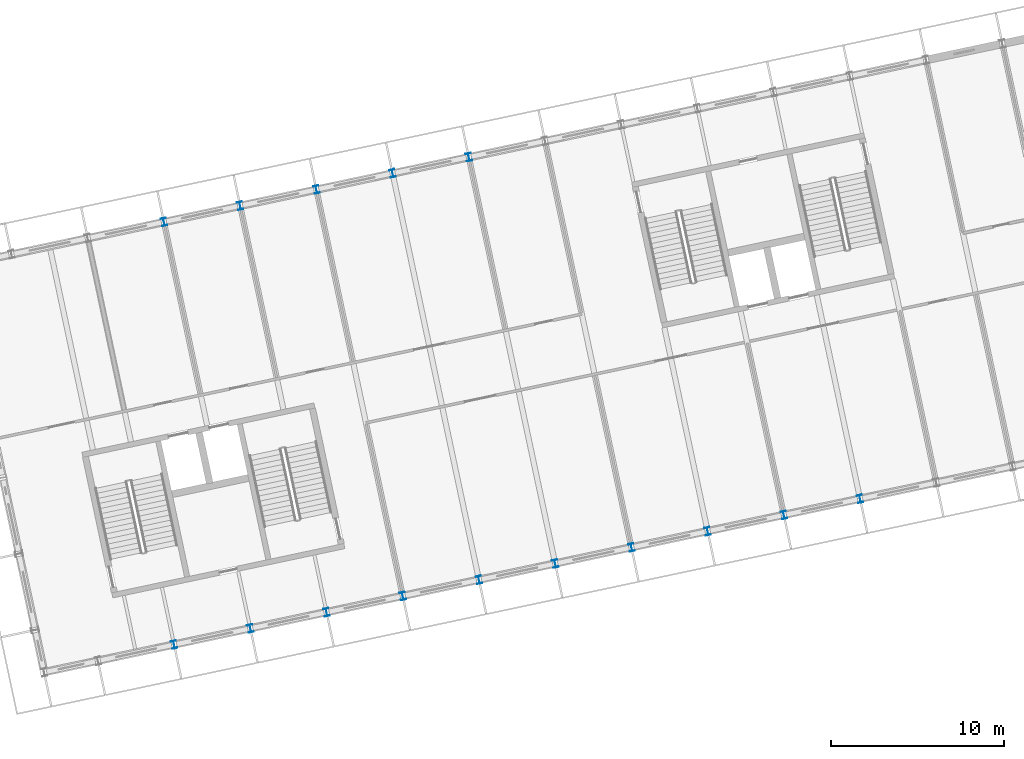
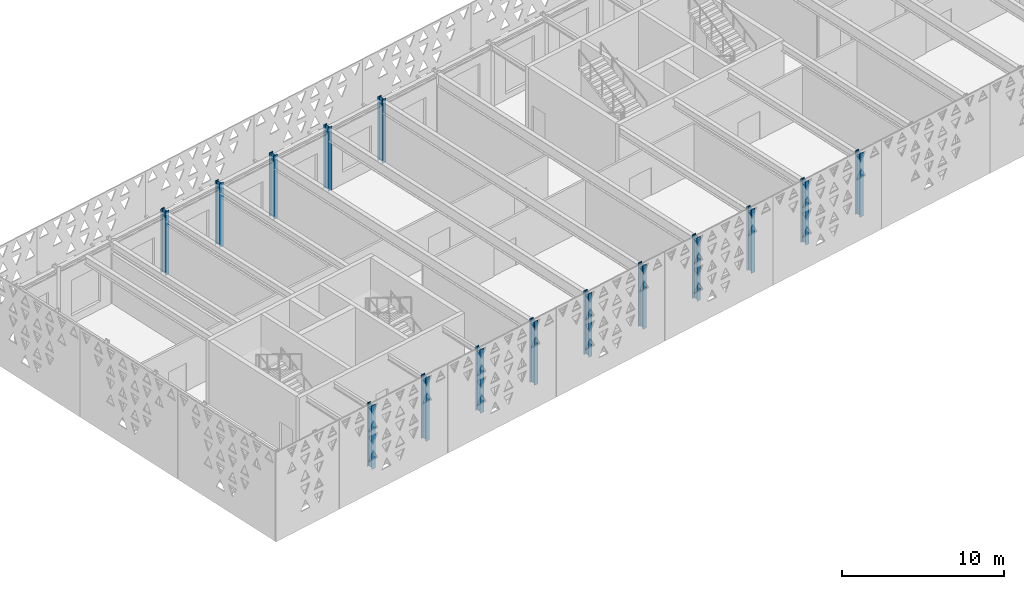
# One storey, part 4 of 182: 15 columns.
"""IFC4 building model written with IfcOpenShell, lengths in metres."""

from ifc_helpers import new_model, si_unit, direction, frame, origin, origin_2d, place, context, subcontext, project, spatial, i_section, extrude, material, material_profile, profile_set, type_object, element, save


model = new_model("IFC4")

# Units and contexts
model_context = context("Model", 3, precision=1e-05, world=origin(), true_north=direction((0.0, 1.0)))
body_context = subcontext(model_context, "Body", "Model", "MODEL_VIEW")
ifc_project = project(units=[si_unit("LENGTHUNIT", "METRE"), si_unit("AREAUNIT", "SQUARE_METRE"), si_unit("VOLUMEUNIT", "CUBIC_METRE"), si_unit("PLANEANGLEUNIT", "RADIAN"), si_unit("MASSUNIT", "GRAM", prefix="KILO")], contexts=[model_context])

# Site, building, storey
site_placement = place(None, origin())
site = spatial("IfcSite", under=ifc_project, at=site_placement, CompositionType="ELEMENT")
building_placement = place(site_placement, origin())
building = spatial("IfcBuilding", under=site, at=building_placement, Name="Okhra Congress Centre", CompositionType="ELEMENT")
storey_placement = place(building_placement, frame((0.0, 0.0, 7.199951171875)))
storey = spatial("IfcBuildingStorey", under=building, at=storey_placement, Name="L01", CompositionType="ELEMENT", Elevation=7.199951171875)

# Columns
ifc_material = material(Name="Steel S355J2", Category="steel")
ifc_material_profile = material_profile(ifc_material, i_section(OverallWidth=0.300048828125, OverallDepth=0.449951171875, WebThickness=0.013916015625, FlangeThickness=0.02587890625, FilletRadius=0.027099609375, at=origin_2d()), Name="HE 450 B")
ifc_profile_set = profile_set([ifc_material_profile], Name="Steel S355J2")
column_type = type_object("IfcColumnType", Name="Steel post HE 450 B", PredefinedType="COLUMN", material=ifc_profile_set)
for number, where, z_axis, x_axis, name in (
    (1, (69.814208984375, 28.680419921875, 0.0), (0.0, 0.0, 1.0), (0.978147600734, 0.207911690818, 0.0), "Post S3"),
    (2, (74.216064453125, 29.615966796875, 0.0), (0.0, 0.0, 1.0), (0.978147600734, 0.207911690818, 0.0), "Post S4"),
    (3, (78.61767578125, 30.5517578125, 0.0), (0.0, 0.0, 1.0), (0.978147600734, 0.207911690818, 0.0), "Post S5"),
    (4, (83.019287109375, 31.4873046875, 0.0), (0.0, 0.0, 1.0), (0.978147600734, 0.207911690818, 0.0), "Post S6"),
    (5, (87.4208984375, 32.4228515625, 0.0), (0.0, 0.0, 1.0), (0.978147600734, 0.207911690818, 0.0), "Post S7"),
    (6, (91.82275390625, 33.3583984375, 0.0), (0.0, 0.0, 1.0), (0.978147600734, 0.207911690818, 0.0), "Post S8"),
    (7, (96.224365234375, 34.2939453125, 0.0), (0.0, 0.0, 1.0), (0.978147600734, 0.207911690818, 0.0), "Post S9"),
    (8, (100.6259765625, 35.229736328125, 0.0), (0.0, 0.0, 1.0), (0.978147600734, 0.207911690818, 0.0), "Post S10"),
    (9, (105.027587890625, 36.165283203125, 0.0), (0.0, 0.0, 1.0), (0.978147600734, 0.207911690818, 0.0), "Post S11"),
    (10, (109.42919921875, 37.100830078125, 0.0), (0.0, 0.0, 1.0), (0.978147600734, 0.207911690818, 0.0), "Post S12"),
    (11, (69.22607421875, 53.091552734375, 0.0), (0.0, 0.0, 1.0), (0.978147600734, 0.207911690818, 0.0), "Post N4"),
    (12, (73.627685546875, 54.027099609375, 0.0), (0.0, 0.0, 1.0), (0.978147600734, 0.207911690818, 0.0), "Post N5"),
    (13, (78.029541015625, 54.962890625, 0.0), (0.0, 0.0, 1.0), (0.978147600734, 0.207911690818, 0.0), "Post N6"),
    (14, (82.43115234375, 55.8984375, 0.0), (0.0, 0.0, 1.0), (0.978147600734, 0.207911690818, 0.0), "Post N7"),
    (15, (86.832763671875, 56.833984375, 0.0), (0.0, 0.0, 1.0), (0.978147600734, 0.207911690818, 0.0), "Post N8"),
):
    element("IfcColumn", number, at=place(storey_placement, frame(where, z_axis=z_axis, x_axis=x_axis)), inside=storey, type_object=column_type, Name=name, PredefinedType="COLUMN", context=body_context, shape_type="SweptSolid", body=[
        extrude(i_section(OverallWidth=0.300048828125, OverallDepth=0.449951171875, WebThickness=0.013916015625, FlangeThickness=0.02587890625, FilletRadius=0.027099609375, at=origin_2d()), origin(), (0.0, 0.0, 1.0), 4.800048828125),
    ])

save(model, "model.ifc")
